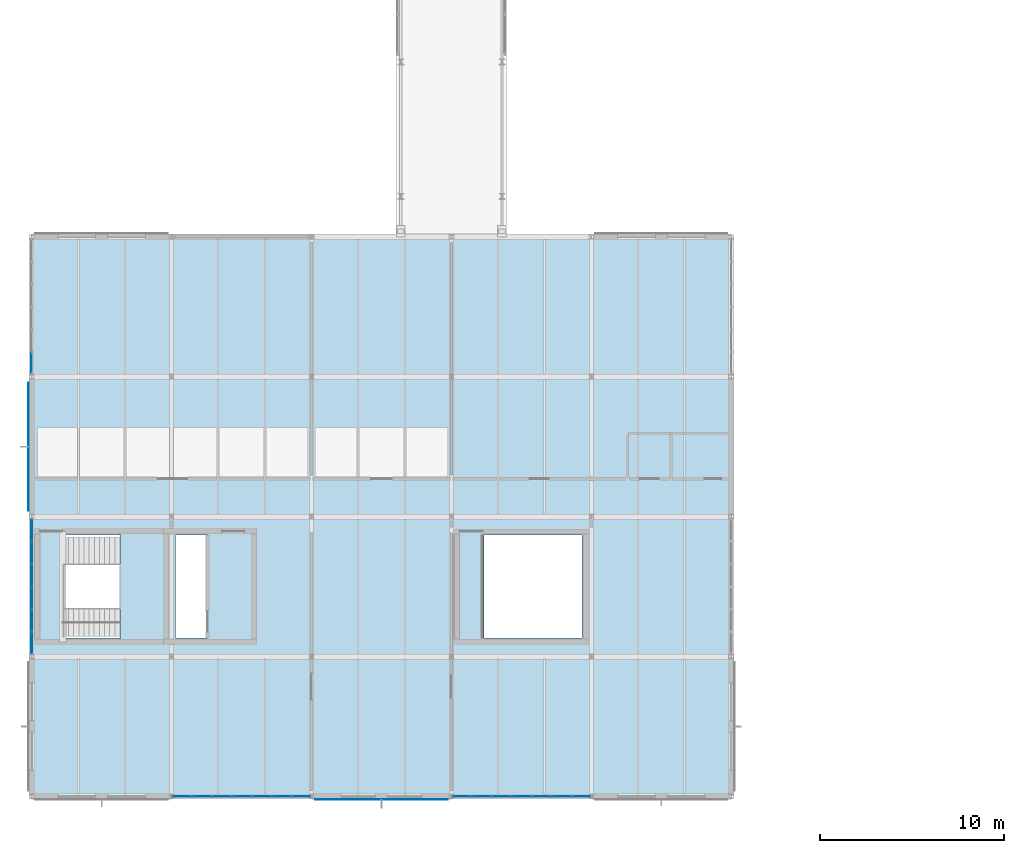
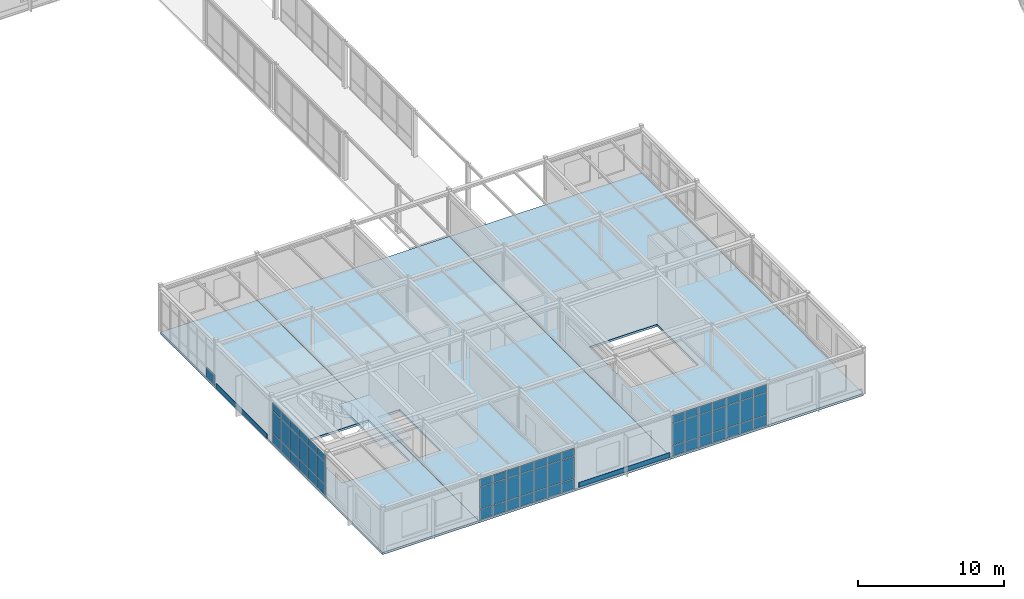
# One storey, part 137 of 189: 63 plates, 4 slabs, 5 elements without a shape of their own.
"""IFC4 building model written with IfcOpenShell, lengths in metres."""

from ifc_helpers import new_model, si_unit, direction, frame, origin, origin_2d, place, context, subcontext, project, spatial, polyline, rectangle, outline, extrude, material, layer, layer_set, type_object, element, aggregate, save


model = new_model("IFC4")

# Units and contexts
model_context = context("Model", 3, precision=1e-05, world=origin(), true_north=direction((0.0, 1.0)))
body_context = subcontext(model_context, "Body", "Model", "MODEL_VIEW")
ifc_project = project(units=[si_unit("LENGTHUNIT", "METRE"), si_unit("AREAUNIT", "SQUARE_METRE"), si_unit("VOLUMEUNIT", "CUBIC_METRE"), si_unit("PLANEANGLEUNIT", "RADIAN"), si_unit("MASSUNIT", "GRAM", prefix="KILO")], contexts=[model_context])

# Site, building, storey
site_placement = place(None, origin())
site = spatial("IfcSite", under=ifc_project, at=site_placement, CompositionType="ELEMENT")
building_placement = place(site_placement, origin())
building = spatial("IfcBuilding", under=site, at=building_placement, Name="Montecoro Central Library", CompositionType="ELEMENT")
storey_placement = place(building_placement, frame((0.0, 0.0, 9.179931640625)))
storey = spatial("IfcBuildingStorey", under=building, at=storey_placement, Name="L02", CompositionType="ELEMENT", Elevation=9.179931640625)

# Curtain wall, plates
ifc_material_1 = material(Name="Bronze-anodised aluminium and low-E glazing", Category="aluminium")
ifc_layer_1 = layer(ifc_material_1, 0.159912109375)
ifc_layer_set_1 = layer_set([ifc_layer_1], Name="Bronze-anodised aluminium and low-E glazing")
curtain_wall_type_1 = type_object("IfcCurtainWallType", Name="CWT-033", PredefinedType="NOTDEFINED", material=ifc_layer_set_1)
curtain_wall_1_placement = place(storey_placement, origin())
curtain_wall_1 = element("IfcCurtainWall", 1, at=curtain_wall_1_placement, inside=storey, type_object=curtain_wall_type_1, Name="V3-L02-CW-S3", PredefinedType="NOTDEFINED")
ifc_material_2 = material(Name="Laminated low-E double glazing", Category="glass")
ifc_layer_2 = layer(ifc_material_2, 0.02587890625)
ifc_layer_set_2 = layer_set([ifc_layer_2], Name="Laminated low-E double glazing")
plate_type_1 = type_object("IfcPlateType", Name="CWP-GLZ-01", PredefinedType="CURTAIN_PANEL", material=ifc_layer_set_2)
plate_1_placement = place(storey_placement, frame((28.361328125, 5.0, 0.06005859375), z_axis=(0.0, 0.0, 1.0), x_axis=(1.0, 0.0, 0.0)))
plate_1 = element("IfcPlate", 2, at=plate_1_placement, type_object=plate_type_1, Name="CW-033 panel 1.1", PredefinedType="CURTAIN_PANEL", context=body_context, shape_type="SweptSolid", body=[
    extrude(rectangle(XDim=0.99462890625, YDim=0.02587890625, at=origin_2d()), origin(), (0.0, 0.0, 1.0), 0.81005859375),
])
plate_2_placement = place(storey_placement, frame((28.361328125, 5.0, 0.93017578125), z_axis=(0.0, 0.0, 1.0), x_axis=(1.0, 0.0, 0.0)))
plate_2 = element("IfcPlate", 3, at=plate_2_placement, type_object=plate_type_1, Name="CW-033 panel 1.2", PredefinedType="CURTAIN_PANEL", context=body_context, shape_type="SweptSolid", body=[
    extrude(rectangle(XDim=0.99462890625, YDim=0.02587890625, at=origin_2d()), origin(), (0.0, 0.0, 1.0), 1.820068359375),
])
plate_3_placement = place(storey_placement, frame((28.361328125, 5.0, 2.81005859375), z_axis=(0.0, 0.0, 1.0), x_axis=(1.0, 0.0, 0.0)))
plate_3 = element("IfcPlate", 4, at=plate_3_placement, type_object=plate_type_1, Name="CW-033 panel 1.3", PredefinedType="CURTAIN_PANEL", context=body_context, shape_type="SweptSolid", body=[
    extrude(rectangle(XDim=0.99462890625, YDim=0.02587890625, at=origin_2d()), origin(), (0.0, 0.0, 1.0), 0.610107421875),
])
plate_4_placement = place(storey_placement, frame((29.430908203125, 5.0, 0.06005859375), z_axis=(0.0, 0.0, 1.0), x_axis=(1.0, 0.0, 0.0)))
plate_4 = element("IfcPlate", 5, at=plate_4_placement, type_object=plate_type_1, Name="CW-033 panel 2.1", PredefinedType="CURTAIN_PANEL", context=body_context, shape_type="SweptSolid", body=[
    extrude(rectangle(XDim=1.024658203125, YDim=0.02587890625, at=origin_2d()), origin(), (0.0, 0.0, 1.0), 0.81005859375),
])
plate_5_placement = place(storey_placement, frame((29.430908203125, 5.0, 0.93017578125), z_axis=(0.0, 0.0, 1.0), x_axis=(1.0, 0.0, 0.0)))
plate_5 = element("IfcPlate", 6, at=plate_5_placement, type_object=plate_type_1, Name="CW-033 panel 2.2", PredefinedType="CURTAIN_PANEL", context=body_context, shape_type="SweptSolid", body=[
    extrude(rectangle(XDim=1.024658203125, YDim=0.02587890625, at=origin_2d()), origin(), (0.0, 0.0, 1.0), 1.820068359375),
])
plate_6_placement = place(storey_placement, frame((29.430908203125, 5.0, 2.81005859375), z_axis=(0.0, 0.0, 1.0), x_axis=(1.0, 0.0, 0.0)))
plate_6 = element("IfcPlate", 7, at=plate_6_placement, type_object=plate_type_1, Name="CW-033 panel 2.3", PredefinedType="CURTAIN_PANEL", context=body_context, shape_type="SweptSolid", body=[
    extrude(rectangle(XDim=1.024658203125, YDim=0.02587890625, at=origin_2d()), origin(), (0.0, 0.0, 1.0), 0.610107421875),
])
plate_7_placement = place(storey_placement, frame((30.515380859375, 5.0, 0.06005859375), z_axis=(0.0, 0.0, 1.0), x_axis=(1.0, 0.0, 0.0)))
plate_7 = element("IfcPlate", 8, at=plate_7_placement, type_object=plate_type_1, Name="CW-033 panel 3.1", PredefinedType="CURTAIN_PANEL", context=body_context, shape_type="SweptSolid", body=[
    extrude(rectangle(XDim=1.024658203125, YDim=0.02587890625, at=origin_2d()), origin(), (0.0, 0.0, 1.0), 0.81005859375),
])
plate_8_placement = place(storey_placement, frame((30.515380859375, 5.0, 0.93017578125), z_axis=(0.0, 0.0, 1.0), x_axis=(1.0, 0.0, 0.0)))
plate_8 = element("IfcPlate", 9, at=plate_8_placement, type_object=plate_type_1, Name="CW-033 panel 3.2", PredefinedType="CURTAIN_PANEL", context=body_context, shape_type="SweptSolid", body=[
    extrude(rectangle(XDim=1.024658203125, YDim=0.02587890625, at=origin_2d()), origin(), (0.0, 0.0, 1.0), 1.820068359375),
])
plate_9_placement = place(storey_placement, frame((30.515380859375, 5.0, 2.81005859375), z_axis=(0.0, 0.0, 1.0), x_axis=(1.0, 0.0, 0.0)))
plate_9 = element("IfcPlate", 10, at=plate_9_placement, type_object=plate_type_1, Name="CW-033 panel 3.3", PredefinedType="CURTAIN_PANEL", context=body_context, shape_type="SweptSolid", body=[
    extrude(rectangle(XDim=1.024658203125, YDim=0.02587890625, at=origin_2d()), origin(), (0.0, 0.0, 1.0), 0.610107421875),
])
plate_10_placement = place(storey_placement, frame((31.60009765625, 5.0, 0.06005859375), z_axis=(0.0, 0.0, 1.0), x_axis=(1.0, 0.0, 0.0)))
plate_10 = element("IfcPlate", 11, at=plate_10_placement, type_object=plate_type_1, Name="CW-033 panel 4.1", PredefinedType="CURTAIN_PANEL", context=body_context, shape_type="SweptSolid", body=[
    extrude(rectangle(XDim=1.024658203125, YDim=0.02587890625, at=origin_2d()), origin(), (0.0, 0.0, 1.0), 0.81005859375),
])
plate_11_placement = place(storey_placement, frame((31.60009765625, 5.0, 0.93017578125), z_axis=(0.0, 0.0, 1.0), x_axis=(1.0, 0.0, 0.0)))
plate_11 = element("IfcPlate", 12, at=plate_11_placement, type_object=plate_type_1, Name="CW-033 panel 4.2", PredefinedType="CURTAIN_PANEL", context=body_context, shape_type="SweptSolid", body=[
    extrude(rectangle(XDim=1.024658203125, YDim=0.02587890625, at=origin_2d()), origin(), (0.0, 0.0, 1.0), 1.820068359375),
])
plate_12_placement = place(storey_placement, frame((31.60009765625, 5.0, 2.81005859375), z_axis=(0.0, 0.0, 1.0), x_axis=(1.0, 0.0, 0.0)))
plate_12 = element("IfcPlate", 13, at=plate_12_placement, type_object=plate_type_1, Name="CW-033 panel 4.3", PredefinedType="CURTAIN_PANEL", context=body_context, shape_type="SweptSolid", body=[
    extrude(rectangle(XDim=1.024658203125, YDim=0.02587890625, at=origin_2d()), origin(), (0.0, 0.0, 1.0), 0.610107421875),
])
plate_13_placement = place(storey_placement, frame((32.6845703125, 5.0, 0.06005859375), z_axis=(0.0, 0.0, 1.0), x_axis=(1.0, 0.0, 0.0)))
plate_13 = element("IfcPlate", 14, at=plate_13_placement, type_object=plate_type_1, Name="CW-033 panel 5.1", PredefinedType="CURTAIN_PANEL", context=body_context, shape_type="SweptSolid", body=[
    extrude(rectangle(XDim=1.024658203125, YDim=0.02587890625, at=origin_2d()), origin(), (0.0, 0.0, 1.0), 0.81005859375),
])
plate_14_placement = place(storey_placement, frame((32.6845703125, 5.0, 0.93017578125), z_axis=(0.0, 0.0, 1.0), x_axis=(1.0, 0.0, 0.0)))
plate_14 = element("IfcPlate", 15, at=plate_14_placement, type_object=plate_type_1, Name="CW-033 panel 5.2", PredefinedType="CURTAIN_PANEL", context=body_context, shape_type="SweptSolid", body=[
    extrude(rectangle(XDim=1.024658203125, YDim=0.02587890625, at=origin_2d()), origin(), (0.0, 0.0, 1.0), 1.820068359375),
])
plate_15_placement = place(storey_placement, frame((32.6845703125, 5.0, 2.81005859375), z_axis=(0.0, 0.0, 1.0), x_axis=(1.0, 0.0, 0.0)))
plate_15 = element("IfcPlate", 16, at=plate_15_placement, type_object=plate_type_1, Name="CW-033 panel 5.3", PredefinedType="CURTAIN_PANEL", context=body_context, shape_type="SweptSolid", body=[
    extrude(rectangle(XDim=1.024658203125, YDim=0.02587890625, at=origin_2d()), origin(), (0.0, 0.0, 1.0), 0.610107421875),
])
plate_16_placement = place(storey_placement, frame((33.76904296875, 5.0, 0.06005859375), z_axis=(0.0, 0.0, 1.0), x_axis=(1.0, 0.0, 0.0)))
plate_16 = element("IfcPlate", 17, at=plate_16_placement, type_object=plate_type_1, Name="CW-033 panel 6.1", PredefinedType="CURTAIN_PANEL", context=body_context, shape_type="SweptSolid", body=[
    extrude(rectangle(XDim=1.024658203125, YDim=0.02587890625, at=origin_2d()), origin(), (0.0, 0.0, 1.0), 0.81005859375),
])
plate_17_placement = place(storey_placement, frame((33.76904296875, 5.0, 0.93017578125), z_axis=(0.0, 0.0, 1.0), x_axis=(1.0, 0.0, 0.0)))
plate_17 = element("IfcPlate", 18, at=plate_17_placement, type_object=plate_type_1, Name="CW-033 panel 6.2", PredefinedType="CURTAIN_PANEL", context=body_context, shape_type="SweptSolid", body=[
    extrude(rectangle(XDim=1.024658203125, YDim=0.02587890625, at=origin_2d()), origin(), (0.0, 0.0, 1.0), 1.820068359375),
])
plate_18_placement = place(storey_placement, frame((33.76904296875, 5.0, 2.81005859375), z_axis=(0.0, 0.0, 1.0), x_axis=(1.0, 0.0, 0.0)))
plate_18 = element("IfcPlate", 19, at=plate_18_placement, type_object=plate_type_1, Name="CW-033 panel 6.3", PredefinedType="CURTAIN_PANEL", context=body_context, shape_type="SweptSolid", body=[
    extrude(rectangle(XDim=1.024658203125, YDim=0.02587890625, at=origin_2d()), origin(), (0.0, 0.0, 1.0), 0.610107421875),
])
plate_19_placement = place(storey_placement, frame((34.838623046875, 5.0, 0.06005859375), z_axis=(0.0, 0.0, 1.0), x_axis=(1.0, 0.0, 0.0)))
plate_19 = element("IfcPlate", 20, at=plate_19_placement, type_object=plate_type_1, Name="CW-033 panel 7.1", PredefinedType="CURTAIN_PANEL", context=body_context, shape_type="SweptSolid", body=[
    extrude(rectangle(XDim=0.99462890625, YDim=0.02587890625, at=origin_2d()), origin(), (0.0, 0.0, 1.0), 0.81005859375),
])
plate_20_placement = place(storey_placement, frame((34.838623046875, 5.0, 0.93017578125), z_axis=(0.0, 0.0, 1.0), x_axis=(1.0, 0.0, 0.0)))
plate_20 = element("IfcPlate", 21, at=plate_20_placement, type_object=plate_type_1, Name="CW-033 panel 7.2", PredefinedType="CURTAIN_PANEL", context=body_context, shape_type="SweptSolid", body=[
    extrude(rectangle(XDim=0.99462890625, YDim=0.02587890625, at=origin_2d()), origin(), (0.0, 0.0, 1.0), 1.820068359375),
])
plate_21_placement = place(storey_placement, frame((34.838623046875, 5.0, 2.81005859375), z_axis=(0.0, 0.0, 1.0), x_axis=(1.0, 0.0, 0.0)))
plate_21 = element("IfcPlate", 22, at=plate_21_placement, type_object=plate_type_1, Name="CW-033 panel 7.3", PredefinedType="CURTAIN_PANEL", context=body_context, shape_type="SweptSolid", body=[
    extrude(rectangle(XDim=0.99462890625, YDim=0.02587890625, at=origin_2d()), origin(), (0.0, 0.0, 1.0), 0.610107421875),
])
aggregate(curtain_wall_1, [plate_1, plate_2, plate_3, plate_4, plate_5, plate_6, plate_7, plate_8, plate_9, plate_10, plate_11, plate_12, plate_13, plate_14, plate_15, plate_16, plate_17, plate_18, plate_19, plate_20, plate_21])

# Curtain wall, plate
ifc_layer_3 = layer(ifc_material_1, 0.159912109375)
ifc_layer_set_3 = layer_set([ifc_layer_3], Name="Bronze-anodised aluminium and low-E glazing")
curtain_wall_type_2 = type_object("IfcCurtainWallType", Name="CWT-035", PredefinedType="NOTDEFINED", material=ifc_layer_set_3)
curtain_wall_2_placement = place(storey_placement, origin())
curtain_wall_2 = element("IfcCurtainWall", 23, at=curtain_wall_2_placement, inside=storey, type_object=curtain_wall_type_2, Name="V3-L02-CW-W3", PredefinedType="NOTDEFINED")
plate_22_placement = place(storey_placement, frame((5.0, 28.546630859375, 0.06005859375), z_axis=(0.0, 0.0, 1.0), x_axis=(0.0, -1.0, 0.0)))
plate_22 = element("IfcPlate", 24, at=plate_22_placement, type_object=plate_type_1, Name="CW-035 panel 6.1", PredefinedType="CURTAIN_PANEL", context=body_context, shape_type="SweptSolid", body=[
    extrude(rectangle(XDim=1.137451171875, YDim=0.02587890625, at=origin_2d()), origin(), (0.0, 0.0, 1.0), 0.81005859375),
])
aggregate(curtain_wall_2, [plate_22])

# Curtain wall, plates
curtain_wall_3_placement = place(storey_placement, origin())
curtain_wall_3 = element("IfcCurtainWall", 25, at=curtain_wall_3_placement, inside=storey, type_object=curtain_wall_type_1, Name="V3-L02-CW-S1", PredefinedType="NOTDEFINED")
ifc_layer_4 = layer(ifc_material_2, 0.0380859375)
ifc_layer_set_4 = layer_set([ifc_layer_4], Name="Laminated low-E double glazing")
plate_type_2 = type_object("IfcPlateType", Name="CWP-GLZ-04", PredefinedType="CURTAIN_PANEL", material=ifc_layer_set_4)
plate_23_placement = place(storey_placement, frame((13.161376953125, 5.0, 0.06005859375), z_axis=(0.0, 0.0, 1.0), x_axis=(1.0, 0.0, 0.0)))
plate_23 = element("IfcPlate", 26, at=plate_23_placement, type_object=plate_type_2, Name="CW-033 panel 1.1", PredefinedType="CURTAIN_PANEL", context=body_context, shape_type="SweptSolid", body=[
    extrude(rectangle(XDim=0.99462890625, YDim=0.0380859375, at=origin_2d()), origin(), (0.0, 0.0, 1.0), 0.81005859375),
])
plate_24_placement = place(storey_placement, frame((13.161376953125, 5.0, 0.93017578125), z_axis=(0.0, 0.0, 1.0), x_axis=(1.0, 0.0, 0.0)))
plate_24 = element("IfcPlate", 27, at=plate_24_placement, type_object=plate_type_2, Name="CW-033 panel 1.2", PredefinedType="CURTAIN_PANEL", context=body_context, shape_type="SweptSolid", body=[
    extrude(rectangle(XDim=0.99462890625, YDim=0.0380859375, at=origin_2d()), origin(), (0.0, 0.0, 1.0), 1.820068359375),
])
plate_25_placement = place(storey_placement, frame((13.161376953125, 5.0, 2.81005859375), z_axis=(0.0, 0.0, 1.0), x_axis=(1.0, 0.0, 0.0)))
plate_25 = element("IfcPlate", 28, at=plate_25_placement, type_object=plate_type_2, Name="CW-033 panel 1.3", PredefinedType="CURTAIN_PANEL", context=body_context, shape_type="SweptSolid", body=[
    extrude(rectangle(XDim=0.99462890625, YDim=0.0380859375, at=origin_2d()), origin(), (0.0, 0.0, 1.0), 0.610107421875),
])
plate_26_placement = place(storey_placement, frame((14.23095703125, 5.0, 0.06005859375), z_axis=(0.0, 0.0, 1.0), x_axis=(1.0, 0.0, 0.0)))
plate_26 = element("IfcPlate", 29, at=plate_26_placement, type_object=plate_type_2, Name="CW-033 panel 2.1", PredefinedType="CURTAIN_PANEL", context=body_context, shape_type="SweptSolid", body=[
    extrude(rectangle(XDim=1.024658203125, YDim=0.0380859375, at=origin_2d()), origin(), (0.0, 0.0, 1.0), 0.81005859375),
])
plate_27_placement = place(storey_placement, frame((14.23095703125, 5.0, 0.93017578125), z_axis=(0.0, 0.0, 1.0), x_axis=(1.0, 0.0, 0.0)))
plate_27 = element("IfcPlate", 30, at=plate_27_placement, type_object=plate_type_2, Name="CW-033 panel 2.2", PredefinedType="CURTAIN_PANEL", context=body_context, shape_type="SweptSolid", body=[
    extrude(rectangle(XDim=1.024658203125, YDim=0.0380859375, at=origin_2d()), origin(), (0.0, 0.0, 1.0), 1.820068359375),
])
plate_28_placement = place(storey_placement, frame((14.23095703125, 5.0, 2.81005859375), z_axis=(0.0, 0.0, 1.0), x_axis=(1.0, 0.0, 0.0)))
plate_28 = element("IfcPlate", 31, at=plate_28_placement, type_object=plate_type_2, Name="CW-033 panel 2.3", PredefinedType="CURTAIN_PANEL", context=body_context, shape_type="SweptSolid", body=[
    extrude(rectangle(XDim=1.024658203125, YDim=0.0380859375, at=origin_2d()), origin(), (0.0, 0.0, 1.0), 0.610107421875),
])
plate_29_placement = place(storey_placement, frame((15.3154296875, 5.0, 0.06005859375), z_axis=(0.0, 0.0, 1.0), x_axis=(1.0, 0.0, 0.0)))
plate_29 = element("IfcPlate", 32, at=plate_29_placement, type_object=plate_type_2, Name="CW-033 panel 3.1", PredefinedType="CURTAIN_PANEL", context=body_context, shape_type="SweptSolid", body=[
    extrude(rectangle(XDim=1.024658203125, YDim=0.0380859375, at=origin_2d()), origin(), (0.0, 0.0, 1.0), 0.81005859375),
])
plate_30_placement = place(storey_placement, frame((15.3154296875, 5.0, 0.93017578125), z_axis=(0.0, 0.0, 1.0), x_axis=(1.0, 0.0, 0.0)))
plate_30 = element("IfcPlate", 33, at=plate_30_placement, type_object=plate_type_2, Name="CW-033 panel 3.2", PredefinedType="CURTAIN_PANEL", context=body_context, shape_type="SweptSolid", body=[
    extrude(rectangle(XDim=1.024658203125, YDim=0.0380859375, at=origin_2d()), origin(), (0.0, 0.0, 1.0), 1.820068359375),
])
plate_31_placement = place(storey_placement, frame((15.3154296875, 5.0, 2.81005859375), z_axis=(0.0, 0.0, 1.0), x_axis=(1.0, 0.0, 0.0)))
plate_31 = element("IfcPlate", 34, at=plate_31_placement, type_object=plate_type_2, Name="CW-033 panel 3.3", PredefinedType="CURTAIN_PANEL", context=body_context, shape_type="SweptSolid", body=[
    extrude(rectangle(XDim=1.024658203125, YDim=0.0380859375, at=origin_2d()), origin(), (0.0, 0.0, 1.0), 0.610107421875),
])
plate_32_placement = place(storey_placement, frame((16.39990234375, 5.0, 0.06005859375), z_axis=(0.0, 0.0, 1.0), x_axis=(1.0, 0.0, 0.0)))
plate_32 = element("IfcPlate", 35, at=plate_32_placement, type_object=plate_type_2, Name="CW-033 panel 4.1", PredefinedType="CURTAIN_PANEL", context=body_context, shape_type="SweptSolid", body=[
    extrude(rectangle(XDim=1.024658203125, YDim=0.0380859375, at=origin_2d()), origin(), (0.0, 0.0, 1.0), 0.81005859375),
])
plate_33_placement = place(storey_placement, frame((16.39990234375, 5.0, 0.93017578125), z_axis=(0.0, 0.0, 1.0), x_axis=(1.0, 0.0, 0.0)))
plate_33 = element("IfcPlate", 36, at=plate_33_placement, type_object=plate_type_2, Name="CW-033 panel 4.2", PredefinedType="CURTAIN_PANEL", context=body_context, shape_type="SweptSolid", body=[
    extrude(rectangle(XDim=1.024658203125, YDim=0.0380859375, at=origin_2d()), origin(), (0.0, 0.0, 1.0), 1.820068359375),
])
plate_34_placement = place(storey_placement, frame((16.39990234375, 5.0, 2.81005859375), z_axis=(0.0, 0.0, 1.0), x_axis=(1.0, 0.0, 0.0)))
plate_34 = element("IfcPlate", 37, at=plate_34_placement, type_object=plate_type_2, Name="CW-033 panel 4.3", PredefinedType="CURTAIN_PANEL", context=body_context, shape_type="SweptSolid", body=[
    extrude(rectangle(XDim=1.024658203125, YDim=0.0380859375, at=origin_2d()), origin(), (0.0, 0.0, 1.0), 0.610107421875),
])
plate_35_placement = place(storey_placement, frame((17.484619140625, 5.0, 0.06005859375), z_axis=(0.0, 0.0, 1.0), x_axis=(1.0, 0.0, 0.0)))
plate_35 = element("IfcPlate", 38, at=plate_35_placement, type_object=plate_type_2, Name="CW-033 panel 5.1", PredefinedType="CURTAIN_PANEL", context=body_context, shape_type="SweptSolid", body=[
    extrude(rectangle(XDim=1.024658203125, YDim=0.0380859375, at=origin_2d()), origin(), (0.0, 0.0, 1.0), 0.81005859375),
])
plate_36_placement = place(storey_placement, frame((17.484619140625, 5.0, 0.93017578125), z_axis=(0.0, 0.0, 1.0), x_axis=(1.0, 0.0, 0.0)))
plate_36 = element("IfcPlate", 39, at=plate_36_placement, type_object=plate_type_2, Name="CW-033 panel 5.2", PredefinedType="CURTAIN_PANEL", context=body_context, shape_type="SweptSolid", body=[
    extrude(rectangle(XDim=1.024658203125, YDim=0.0380859375, at=origin_2d()), origin(), (0.0, 0.0, 1.0), 1.820068359375),
])
plate_37_placement = place(storey_placement, frame((17.484619140625, 5.0, 2.81005859375), z_axis=(0.0, 0.0, 1.0), x_axis=(1.0, 0.0, 0.0)))
plate_37 = element("IfcPlate", 40, at=plate_37_placement, type_object=plate_type_2, Name="CW-033 panel 5.3", PredefinedType="CURTAIN_PANEL", context=body_context, shape_type="SweptSolid", body=[
    extrude(rectangle(XDim=1.024658203125, YDim=0.0380859375, at=origin_2d()), origin(), (0.0, 0.0, 1.0), 0.610107421875),
])
plate_38_placement = place(storey_placement, frame((18.569091796875, 5.0, 0.06005859375), z_axis=(0.0, 0.0, 1.0), x_axis=(1.0, 0.0, 0.0)))
plate_38 = element("IfcPlate", 41, at=plate_38_placement, type_object=plate_type_2, Name="CW-033 panel 6.1", PredefinedType="CURTAIN_PANEL", context=body_context, shape_type="SweptSolid", body=[
    extrude(rectangle(XDim=1.024658203125, YDim=0.0380859375, at=origin_2d()), origin(), (0.0, 0.0, 1.0), 0.81005859375),
])
plate_39_placement = place(storey_placement, frame((18.569091796875, 5.0, 0.93017578125), z_axis=(0.0, 0.0, 1.0), x_axis=(1.0, 0.0, 0.0)))
plate_39 = element("IfcPlate", 42, at=plate_39_placement, type_object=plate_type_2, Name="CW-033 panel 6.2", PredefinedType="CURTAIN_PANEL", context=body_context, shape_type="SweptSolid", body=[
    extrude(rectangle(XDim=1.024658203125, YDim=0.0380859375, at=origin_2d()), origin(), (0.0, 0.0, 1.0), 1.820068359375),
])
plate_40_placement = place(storey_placement, frame((18.569091796875, 5.0, 2.81005859375), z_axis=(0.0, 0.0, 1.0), x_axis=(1.0, 0.0, 0.0)))
plate_40 = element("IfcPlate", 43, at=plate_40_placement, type_object=plate_type_2, Name="CW-033 panel 6.3", PredefinedType="CURTAIN_PANEL", context=body_context, shape_type="SweptSolid", body=[
    extrude(rectangle(XDim=1.024658203125, YDim=0.0380859375, at=origin_2d()), origin(), (0.0, 0.0, 1.0), 0.610107421875),
])
plate_41_placement = place(storey_placement, frame((19.638671875, 5.0, 0.06005859375), z_axis=(0.0, 0.0, 1.0), x_axis=(1.0, 0.0, 0.0)))
plate_41 = element("IfcPlate", 44, at=plate_41_placement, type_object=plate_type_2, Name="CW-033 panel 7.1", PredefinedType="CURTAIN_PANEL", context=body_context, shape_type="SweptSolid", body=[
    extrude(rectangle(XDim=0.99462890625, YDim=0.0380859375, at=origin_2d()), origin(), (0.0, 0.0, 1.0), 0.81005859375),
])
plate_42_placement = place(storey_placement, frame((19.638671875, 5.0, 0.93017578125), z_axis=(0.0, 0.0, 1.0), x_axis=(1.0, 0.0, 0.0)))
plate_42 = element("IfcPlate", 45, at=plate_42_placement, type_object=plate_type_2, Name="CW-033 panel 7.2", PredefinedType="CURTAIN_PANEL", context=body_context, shape_type="SweptSolid", body=[
    extrude(rectangle(XDim=0.99462890625, YDim=0.0380859375, at=origin_2d()), origin(), (0.0, 0.0, 1.0), 1.820068359375),
])
plate_43_placement = place(storey_placement, frame((19.638671875, 5.0, 2.81005859375), z_axis=(0.0, 0.0, 1.0), x_axis=(1.0, 0.0, 0.0)))
plate_43 = element("IfcPlate", 46, at=plate_43_placement, type_object=plate_type_2, Name="CW-033 panel 7.3", PredefinedType="CURTAIN_PANEL", context=body_context, shape_type="SweptSolid", body=[
    extrude(rectangle(XDim=0.99462890625, YDim=0.0380859375, at=origin_2d()), origin(), (0.0, 0.0, 1.0), 0.610107421875),
])
aggregate(curtain_wall_3, [plate_23, plate_24, plate_25, plate_26, plate_27, plate_28, plate_29, plate_30, plate_31, plate_32, plate_33, plate_34, plate_35, plate_36, plate_37, plate_38, plate_39, plate_40, plate_41, plate_42, plate_43])

curtain_wall_4_placement = place(storey_placement, origin())
curtain_wall_4 = element("IfcCurtainWall", 47, at=curtain_wall_4_placement, inside=storey, type_object=curtain_wall_type_2, Name="V3-L02-CW-W1", PredefinedType="NOTDEFINED")
plate_44_placement = place(storey_placement, frame((5.0, 19.453369140625, 0.06005859375), z_axis=(0.0, 0.0, 1.0), x_axis=(0.0, -1.0, 0.0)))
plate_44 = element("IfcPlate", 48, at=plate_44_placement, type_object=plate_type_2, Name="CW-035 panel 1.1", PredefinedType="CURTAIN_PANEL", context=body_context, shape_type="SweptSolid", body=[
    extrude(rectangle(XDim=1.137451171875, YDim=0.0380859375, at=origin_2d()), origin(), (0.0, 0.0, 1.0), 0.81005859375),
])
plate_45_placement = place(storey_placement, frame((5.0, 19.453369140625, 0.93017578125), z_axis=(0.0, 0.0, 1.0), x_axis=(0.0, -1.0, 0.0)))
plate_45 = element("IfcPlate", 49, at=plate_45_placement, type_object=plate_type_2, Name="CW-035 panel 1.2", PredefinedType="CURTAIN_PANEL", context=body_context, shape_type="SweptSolid", body=[
    extrude(rectangle(XDim=1.137451171875, YDim=0.0380859375, at=origin_2d()), origin(), (0.0, 0.0, 1.0), 1.820068359375),
])
plate_46_placement = place(storey_placement, frame((5.0, 19.453369140625, 2.81005859375), z_axis=(0.0, 0.0, 1.0), x_axis=(0.0, -1.0, 0.0)))
plate_46 = element("IfcPlate", 50, at=plate_46_placement, type_object=plate_type_2, Name="CW-035 panel 1.3", PredefinedType="CURTAIN_PANEL", context=body_context, shape_type="SweptSolid", body=[
    extrude(rectangle(XDim=1.137451171875, YDim=0.0380859375, at=origin_2d()), origin(), (0.0, 0.0, 1.0), 0.610107421875),
])
plate_47_placement = place(storey_placement, frame((5.0, 18.240966796875, 0.06005859375), z_axis=(0.0, 0.0, 1.0), x_axis=(0.0, -1.0, 0.0)))
plate_47 = element("IfcPlate", 51, at=plate_47_placement, type_object=plate_type_2, Name="CW-035 panel 2.1", PredefinedType="CURTAIN_PANEL", context=body_context, shape_type="SweptSolid", body=[
    extrude(rectangle(XDim=1.167236328125, YDim=0.0380859375, at=origin_2d()), origin(), (0.0, 0.0, 1.0), 0.81005859375),
])
plate_48_placement = place(storey_placement, frame((5.0, 18.240966796875, 0.93017578125), z_axis=(0.0, 0.0, 1.0), x_axis=(0.0, -1.0, 0.0)))
plate_48 = element("IfcPlate", 52, at=plate_48_placement, type_object=plate_type_2, Name="CW-035 panel 2.2", PredefinedType="CURTAIN_PANEL", context=body_context, shape_type="SweptSolid", body=[
    extrude(rectangle(XDim=1.167236328125, YDim=0.0380859375, at=origin_2d()), origin(), (0.0, 0.0, 1.0), 1.820068359375),
])
plate_49_placement = place(storey_placement, frame((5.0, 18.240966796875, 2.81005859375), z_axis=(0.0, 0.0, 1.0), x_axis=(0.0, -1.0, 0.0)))
plate_49 = element("IfcPlate", 53, at=plate_49_placement, type_object=plate_type_2, Name="CW-035 panel 2.3", PredefinedType="CURTAIN_PANEL", context=body_context, shape_type="SweptSolid", body=[
    extrude(rectangle(XDim=1.167236328125, YDim=0.0380859375, at=origin_2d()), origin(), (0.0, 0.0, 1.0), 0.610107421875),
])
plate_50_placement = place(storey_placement, frame((5.0, 17.013671875, 0.06005859375), z_axis=(0.0, 0.0, 1.0), x_axis=(0.0, -1.0, 0.0)))
plate_50 = element("IfcPlate", 54, at=plate_50_placement, type_object=plate_type_2, Name="CW-035 panel 3.1", PredefinedType="CURTAIN_PANEL", context=body_context, shape_type="SweptSolid", body=[
    extrude(rectangle(XDim=1.167236328125, YDim=0.0380859375, at=origin_2d()), origin(), (0.0, 0.0, 1.0), 0.81005859375),
])
plate_51_placement = place(storey_placement, frame((5.0, 17.013671875, 0.93017578125), z_axis=(0.0, 0.0, 1.0), x_axis=(0.0, -1.0, 0.0)))
plate_51 = element("IfcPlate", 55, at=plate_51_placement, type_object=plate_type_2, Name="CW-035 panel 3.2", PredefinedType="CURTAIN_PANEL", context=body_context, shape_type="SweptSolid", body=[
    extrude(rectangle(XDim=1.167236328125, YDim=0.0380859375, at=origin_2d()), origin(), (0.0, 0.0, 1.0), 1.820068359375),
])
plate_52_placement = place(storey_placement, frame((5.0, 17.013671875, 2.81005859375), z_axis=(0.0, 0.0, 1.0), x_axis=(0.0, -1.0, 0.0)))
plate_52 = element("IfcPlate", 56, at=plate_52_placement, type_object=plate_type_2, Name="CW-035 panel 3.3", PredefinedType="CURTAIN_PANEL", context=body_context, shape_type="SweptSolid", body=[
    extrude(rectangle(XDim=1.167236328125, YDim=0.0380859375, at=origin_2d()), origin(), (0.0, 0.0, 1.0), 0.610107421875),
])
plate_53_placement = place(storey_placement, frame((5.0, 15.786376953125, 0.06005859375), z_axis=(0.0, 0.0, 1.0), x_axis=(0.0, -1.0, 0.0)))
plate_53 = element("IfcPlate", 57, at=plate_53_placement, type_object=plate_type_2, Name="CW-035 panel 4.1", PredefinedType="CURTAIN_PANEL", context=body_context, shape_type="SweptSolid", body=[
    extrude(rectangle(XDim=1.167236328125, YDim=0.0380859375, at=origin_2d()), origin(), (0.0, 0.0, 1.0), 0.81005859375),
])
plate_54_placement = place(storey_placement, frame((5.0, 15.786376953125, 0.93017578125), z_axis=(0.0, 0.0, 1.0), x_axis=(0.0, -1.0, 0.0)))
plate_54 = element("IfcPlate", 58, at=plate_54_placement, type_object=plate_type_2, Name="CW-035 panel 4.2", PredefinedType="CURTAIN_PANEL", context=body_context, shape_type="SweptSolid", body=[
    extrude(rectangle(XDim=1.167236328125, YDim=0.0380859375, at=origin_2d()), origin(), (0.0, 0.0, 1.0), 1.820068359375),
])
plate_55_placement = place(storey_placement, frame((5.0, 15.786376953125, 2.81005859375), z_axis=(0.0, 0.0, 1.0), x_axis=(0.0, -1.0, 0.0)))
plate_55 = element("IfcPlate", 59, at=plate_55_placement, type_object=plate_type_2, Name="CW-035 panel 4.3", PredefinedType="CURTAIN_PANEL", context=body_context, shape_type="SweptSolid", body=[
    extrude(rectangle(XDim=1.167236328125, YDim=0.0380859375, at=origin_2d()), origin(), (0.0, 0.0, 1.0), 0.610107421875),
])
plate_56_placement = place(storey_placement, frame((5.0, 14.55908203125, 0.06005859375), z_axis=(0.0, 0.0, 1.0), x_axis=(0.0, -1.0, 0.0)))
plate_56 = element("IfcPlate", 60, at=plate_56_placement, type_object=plate_type_2, Name="CW-035 panel 5.1", PredefinedType="CURTAIN_PANEL", context=body_context, shape_type="SweptSolid", body=[
    extrude(rectangle(XDim=1.167236328125, YDim=0.0380859375, at=origin_2d()), origin(), (0.0, 0.0, 1.0), 0.81005859375),
])
plate_57_placement = place(storey_placement, frame((5.0, 14.55908203125, 0.93017578125), z_axis=(0.0, 0.0, 1.0), x_axis=(0.0, -1.0, 0.0)))
plate_57 = element("IfcPlate", 61, at=plate_57_placement, type_object=plate_type_2, Name="CW-035 panel 5.2", PredefinedType="CURTAIN_PANEL", context=body_context, shape_type="SweptSolid", body=[
    extrude(rectangle(XDim=1.167236328125, YDim=0.0380859375, at=origin_2d()), origin(), (0.0, 0.0, 1.0), 1.820068359375),
])
plate_58_placement = place(storey_placement, frame((5.0, 14.55908203125, 2.81005859375), z_axis=(0.0, 0.0, 1.0), x_axis=(0.0, -1.0, 0.0)))
plate_58 = element("IfcPlate", 62, at=plate_58_placement, type_object=plate_type_2, Name="CW-035 panel 5.3", PredefinedType="CURTAIN_PANEL", context=body_context, shape_type="SweptSolid", body=[
    extrude(rectangle(XDim=1.167236328125, YDim=0.0380859375, at=origin_2d()), origin(), (0.0, 0.0, 1.0), 0.610107421875),
])
plate_59_placement = place(storey_placement, frame((5.0, 13.3466796875, 0.06005859375), z_axis=(0.0, 0.0, 1.0), x_axis=(0.0, -1.0, 0.0)))
plate_59 = element("IfcPlate", 63, at=plate_59_placement, type_object=plate_type_2, Name="CW-035 panel 6.1", PredefinedType="CURTAIN_PANEL", context=body_context, shape_type="SweptSolid", body=[
    extrude(rectangle(XDim=1.137451171875, YDim=0.0380859375, at=origin_2d()), origin(), (0.0, 0.0, 1.0), 0.81005859375),
])
plate_60_placement = place(storey_placement, frame((5.0, 13.3466796875, 0.93017578125), z_axis=(0.0, 0.0, 1.0), x_axis=(0.0, -1.0, 0.0)))
plate_60 = element("IfcPlate", 64, at=plate_60_placement, type_object=plate_type_2, Name="CW-035 panel 6.2", PredefinedType="CURTAIN_PANEL", context=body_context, shape_type="SweptSolid", body=[
    extrude(rectangle(XDim=1.137451171875, YDim=0.0380859375, at=origin_2d()), origin(), (0.0, 0.0, 1.0), 1.820068359375),
])
plate_61_placement = place(storey_placement, frame((5.0, 13.3466796875, 2.81005859375), z_axis=(0.0, 0.0, 1.0), x_axis=(0.0, -1.0, 0.0)))
plate_61 = element("IfcPlate", 65, at=plate_61_placement, type_object=plate_type_2, Name="CW-035 panel 6.3", PredefinedType="CURTAIN_PANEL", context=body_context, shape_type="SweptSolid", body=[
    extrude(rectangle(XDim=1.137451171875, YDim=0.0380859375, at=origin_2d()), origin(), (0.0, 0.0, 1.0), 0.610107421875),
])
aggregate(curtain_wall_4, [plate_44, plate_45, plate_46, plate_47, plate_48, plate_49, plate_50, plate_51, plate_52, plate_53, plate_54, plate_55, plate_56, plate_57, plate_58, plate_59, plate_60, plate_61])

# Plates
ifc_material_3 = material(Name="Architectural bronze spandrel plate", Category="aluminium")
ifc_layer_5 = layer(ifc_material_3, 0.02197265625)
ifc_layer_set_5 = layer_set([ifc_layer_5], Name="Architectural bronze spandrel plate")
plate_type_3 = type_object("IfcPlateType", Name="PLT-SPN-01", PredefinedType="SHEET", material=ifc_layer_set_5)
plate_62_placement = place(storey_placement, frame((24.0, 4.833984375, 0.16015625), z_axis=(0.0, 0.0, 1.0), x_axis=(1.0, 0.0, 0.0)))
element("IfcPlate", 66, at=plate_62_placement, inside=storey, type_object=plate_type_3, Name="V3-L02-SPN-S2", PredefinedType="SHEET", context=body_context, shape_type="SweptSolid", body=[
    extrude(rectangle(XDim=7.19189453125, YDim=0.02197265625, at=origin_2d()), origin(), (0.0, 0.0, 1.0), 0.39990234375),
])
plate_63_placement = place(storey_placement, frame((4.833984375, 24.0, 0.16015625), z_axis=(0.0, 0.0, 1.0), x_axis=(0.0, -1.0, 0.0)))
element("IfcPlate", 67, at=plate_63_placement, inside=storey, type_object=plate_type_3, Name="V3-L02-SPN-W2", PredefinedType="SHEET", context=body_context, shape_type="SweptSolid", body=[
    extrude(rectangle(XDim=6.964111328125, YDim=0.02197265625, at=origin_2d()), origin(), (0.0, 0.0, 1.0), 0.39990234375),
])

# Slabs
ifc_material_4 = material(Name="Concrete C32/40", Category="concrete")
ifc_layer_6 = layer(ifc_material_4, 0.179931640625)
ifc_layer_set_6 = layer_set([ifc_layer_6], Name="Concrete C32/40")
slab_type_1 = type_object("IfcSlabType", Name="SL-FLR-180", PredefinedType="FLOOR", material=ifc_layer_set_6)
slab_1_placement = place(storey_placement, frame((0.0, 0.0, -0.179931640625)))
element("IfcSlab", 68, at=slab_1_placement, inside=storey, type_object=slab_type_1, Name="V3-L02-SL1", PredefinedType="FLOOR", context=body_context, shape_type="SweptSolid", body=[
    extrude(outline(polyline([(5.0, 5.0), (12.60009765625, 5.0), (12.60009765625, 35.39990234375), (5.0, 35.39990234375), (5.0, 5.0)]), holes=[polyline([(6.760009765625, 19.199951171875), (12.10009765625, 19.199951171875), (12.10009765625, 13.60009765625), (6.760009765625, 13.60009765625), (6.760009765625, 19.199951171875)])]), origin(), (0.0, 0.0, 1.0), 0.179931640625),
])
slab_2_placement = place(storey_placement, frame((0.0, 0.0, -0.179931640625)))
element("IfcSlab", 69, at=slab_2_placement, inside=storey, type_object=slab_type_1, Name="V3-L02-SL2", PredefinedType="FLOOR", context=body_context, shape_type="SweptSolid", body=[
    extrude(outline(polyline([(12.60009765625, 5.0), (27.800048828125, 5.0), (27.800048828125, 35.39990234375), (12.60009765625, 35.39990234375), (12.60009765625, 5.0)]), holes=[polyline([(12.820068359375, 19.199951171875), (14.550048828125, 19.199951171875), (14.550048828125, 13.60009765625), (12.820068359375, 13.60009765625), (12.820068359375, 19.199951171875)])]), origin(), (0.0, 0.0, 1.0), 0.179931640625),
])
slab_3_placement = place(storey_placement, frame((0.0, 0.0, -0.179931640625)))
element("IfcSlab", 70, at=slab_3_placement, inside=storey, type_object=slab_type_1, Name="V3-L02-SL3", PredefinedType="FLOOR", context=body_context, shape_type="SweptSolid", body=[
    extrude(outline(polyline([(27.800048828125, 5.0), (43.0, 5.0), (43.0, 35.39990234375), (27.800048828125, 35.39990234375), (27.800048828125, 5.0)]), holes=[polyline([(29.56005859375, 19.199951171875), (34.89990234375, 19.199951171875), (34.89990234375, 13.60009765625), (29.56005859375, 13.60009765625), (29.56005859375, 19.199951171875)])]), origin(), (0.0, 0.0, 1.0), 0.179931640625),
])

# Stair, slab
ifc_material_5 = material(Name="Concrete C35/45", Category="concrete")
stair_type = type_object("IfcStairType", Name="STR-RET-150", PredefinedType="HALF_TURN_STAIR", material=ifc_material_5)
stair_placement = place(storey_placement, origin())
stair = element("IfcStair", 71, at=stair_placement, inside=storey, type_object=stair_type, Name="C4-L02-STR", PredefinedType="HALF_TURN_STAIR")
ifc_layer_7 = layer(ifc_material_5, 0.199951171875)
ifc_layer_set_7 = layer_set([ifc_layer_7], Name="Concrete C35/45")
slab_type_2 = type_object("IfcSlabType", Name="SL-LND-200", PredefinedType="LANDING", material=ifc_layer_set_7)
slab_4_placement = place(storey_placement, frame((0.0, 0.0, 1.840087890625)))
slab_4 = element("IfcSlab", 72, at=slab_4_placement, type_object=slab_type_2, Name="ST-04 landing 1", PredefinedType="LANDING", context=body_context, shape_type="SweptSolid", body=[
    extrude(outline(polyline([(9.800048828125, 13.52001953125), (12.179931640625, 13.52001953125), (12.179931640625, 19.280029296875), (9.800048828125, 19.280029296875), (9.800048828125, 13.52001953125)])), origin(), (0.0, 0.0, 1.0), 0.199951171875),
])
aggregate(stair, [slab_4])

save(model, "model.ifc")
